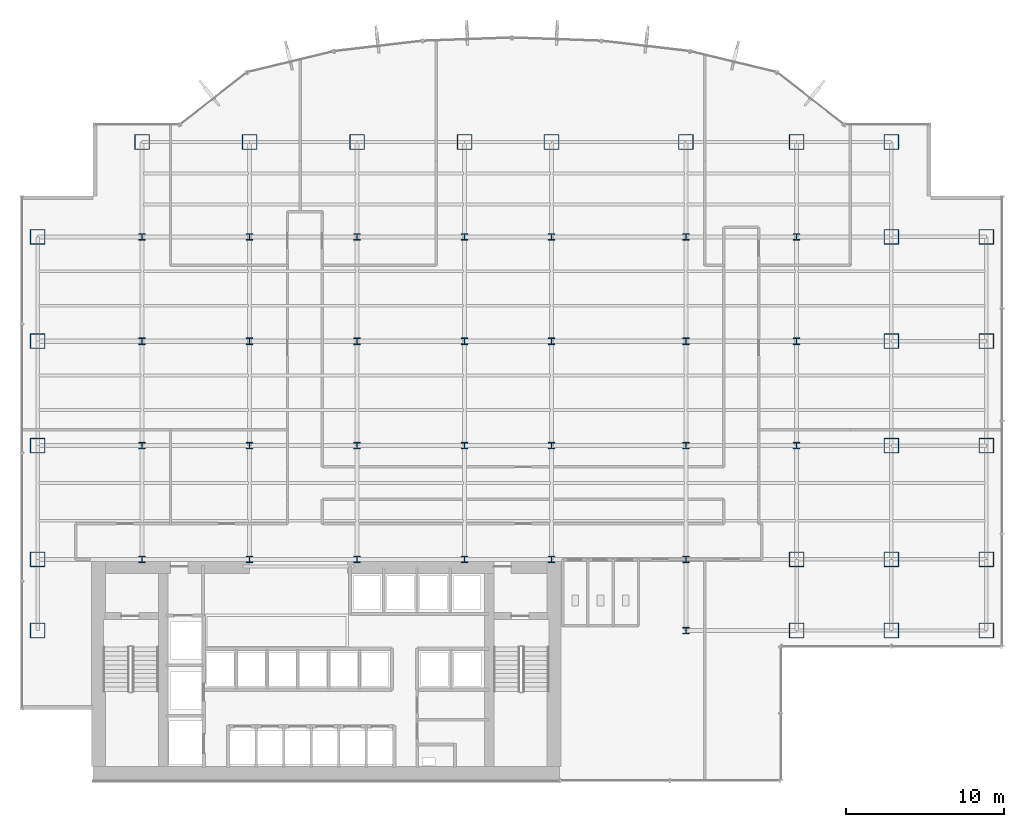
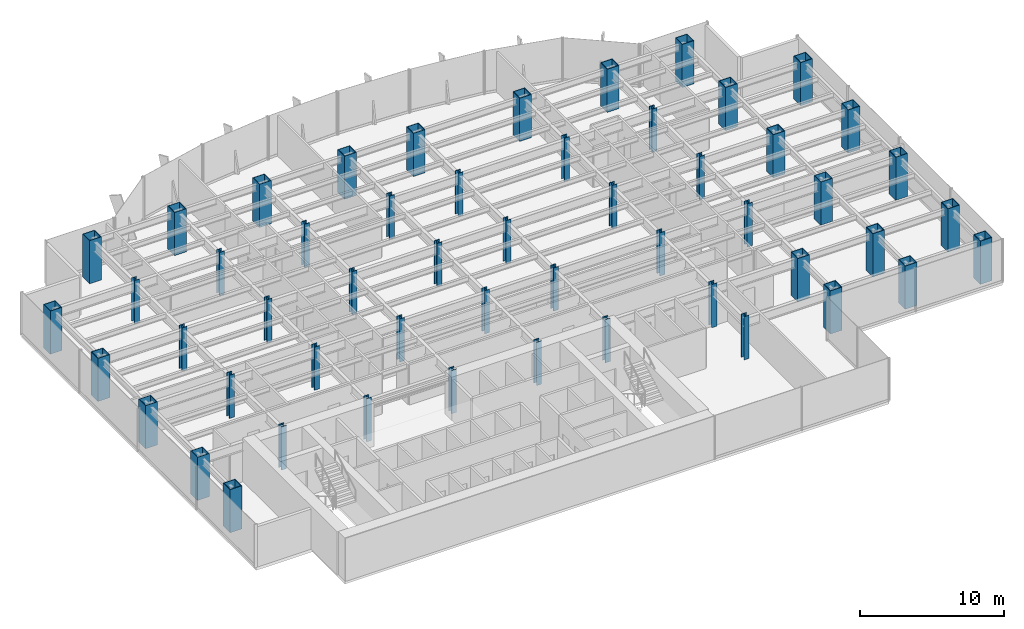
# One storey, part 1 of 22: 53 columns.
"""IFC4 building model written with IfcOpenShell, lengths in metres."""

from ifc_helpers import new_model, si_unit, derived_unit, direction, frame, origin, origin_2d, place, context, subcontext, project, spatial, hollow_rectangle, i_section, extrude, source, transform, mapped, material, material_profile, profile_set, type_object, element, save


model = new_model("IFC4")

# Units and contexts
model_context = context("Model", 3, precision=1e-05, world=origin(), true_north=direction((0.0, 1.0)))
body_context = subcontext(model_context, "Body", "Model", "MODEL_VIEW")
ifc_project = project(units=[si_unit("LENGTHUNIT", "METRE"), si_unit("AREAUNIT", "SQUARE_METRE"), si_unit("VOLUMEUNIT", "CUBIC_METRE"), si_unit("PLANEANGLEUNIT", "RADIAN"), si_unit("MASSUNIT", "GRAM", prefix="KILO"), derived_unit("THERMALTRANSMITTANCEUNIT", [(si_unit("POWERUNIT", "WATT"), 1), (si_unit("LENGTHUNIT", "METRE"), -2), (si_unit("THERMODYNAMICTEMPERATUREUNIT", "KELVIN"), -1)])], contexts=[model_context])

# Site, building, storey
site_placement = place(None, origin())
site = spatial("IfcSite", under=ifc_project, at=site_placement, CompositionType="ELEMENT")
building_placement = place(site_placement, origin())
building = spatial("IfcBuilding", under=site, at=building_placement, Name="Skarnbrae Concourse Arena and Tower", CompositionType="ELEMENT")
storey_placement = place(building_placement, frame((0.0, 0.0, 76.300048828125)))
storey = spatial("IfcBuildingStorey", under=building, at=storey_placement, Name="L18", CompositionType="ELEMENT", Elevation=76.300048828125)

# Columns
ifc_material = material(Name="Steel CSA G40.21 350W", Category="steel")
ifc_material_profile_1 = material_profile(ifc_material, hollow_rectangle(XDim=0.949951171875, YDim=0.949951171875, WallThickness=0.044921875, at=origin_2d()), Name="BOX950X950X45")
ifc_profile_set_1 = profile_set([ifc_material_profile_1], Name="Steel CSA G40.21 350W")
column_type_1 = type_object("IfcColumnType", Name="COL-TUBE-BOX950", PredefinedType="COLUMN", material=ifc_profile_set_1)
shared_shape_1 = source(origin(), body_context, "Body", "SweptSolid", [
    extrude(hollow_rectangle(XDim=0.949951171875, YDim=0.949951171875, WallThickness=0.044921875, at=origin_2d()), origin(), (0.0, 0.0, 1.0), 3.64990234375),
])
for number, where, z_axis, x_axis, name in (
    (1, (1.0, 9.5, 0.0), (0.0, 0.0, 1.0), (1.0, 0.0, 0.0), "L18 Tower column PC_01_01"),
    (2, (1.0, 14.0, 0.0), (0.0, 0.0, 1.0), (1.0, 0.0, 0.0), "L18 Tower column PC_01_02"),
    (3, (1.0, 21.199951171875, 0.0), (0.0, 0.0, 1.0), (1.0, 0.0, 0.0), "L18 Tower column PC_01_03"),
    (4, (1.0, 27.800048828125, 0.0), (0.0, 0.0, 1.0), (1.0, 0.0, 0.0), "L18 Tower column PC_01_04"),
    (5, (1.0, 34.39990234375, 0.0), (0.0, 0.0, 1.0), (1.0, 0.0, 0.0), "L18 Tower column PC_01_05"),
    (6, (7.60009765625, 40.39990234375, 0.0), (0.0, 0.0, 1.0), (1.0, 0.0, 0.0), "L18 Tower column PC_02_06"),
    (7, (14.39990234375, 40.39990234375, 0.0), (0.0, 0.0, 1.0), (1.0, 0.0, 0.0), "L18 Tower column PC_03_06"),
    (8, (21.199951171875, 40.39990234375, 0.0), (0.0, 0.0, 1.0), (1.0, 0.0, 0.0), "L18 Tower column PC_04_06"),
    (9, (28.0, 40.39990234375, 0.0), (0.0, 0.0, 1.0), (1.0, 0.0, 0.0), "L18 Tower column PC_05_06"),
    (10, (33.5, 40.39990234375, 0.0), (0.0, 0.0, 1.0), (1.0, 0.0, 0.0), "L18 Tower column PC_06_06"),
    (11, (42.0, 40.39990234375, 0.0), (0.0, 0.0, 1.0), (1.0, 0.0, 0.0), "L18 Tower column PC_07_06"),
    (12, (49.0, 9.5, 0.0), (0.0, 0.0, 1.0), (1.0, 0.0, 0.0), "L18 Tower column PC_08_01"),
    (13, (49.0, 14.0, 0.0), (0.0, 0.0, 1.0), (1.0, 0.0, 0.0), "L18 Tower column PC_08_02"),
    (14, (49.0, 40.39990234375, 0.0), (0.0, 0.0, 1.0), (1.0, 0.0, 0.0), "L18 Tower column PC_08_06"),
    (15, (55.0, 9.5, 0.0), (0.0, 0.0, 1.0), (1.0, 0.0, 0.0), "L18 Tower column PC_09_01"),
    (16, (55.0, 14.0, 0.0), (0.0, 0.0, 1.0), (1.0, 0.0, 0.0), "L18 Tower column PC_09_02"),
    (17, (55.0, 21.199951171875, 0.0), (0.0, 0.0, 1.0), (1.0, 0.0, 0.0), "L18 Tower column PC_09_03"),
    (18, (55.0, 27.800048828125, 0.0), (0.0, 0.0, 1.0), (1.0, 0.0, 0.0), "L18 Tower column PC_09_04"),
    (19, (55.0, 34.39990234375, 0.0), (0.0, 0.0, 1.0), (1.0, 0.0, 0.0), "L18 Tower column PC_09_05"),
    (20, (55.0, 40.39990234375, 0.0), (0.0, 0.0, 1.0), (1.0, 0.0, 0.0), "L18 Tower column PC_09_06"),
    (21, (61.0, 9.5, 0.0), (0.0, 0.0, 1.0), (1.0, 0.0, 0.0), "L18 Tower column PC_10_01"),
    (22, (61.0, 14.0, 0.0), (0.0, 0.0, 1.0), (1.0, 0.0, 0.0), "L18 Tower column PC_10_02"),
    (23, (61.0, 21.199951171875, 0.0), (0.0, 0.0, 1.0), (1.0, 0.0, 0.0), "L18 Tower column PC_10_03"),
    (24, (61.0, 27.800048828125, 0.0), (0.0, 0.0, 1.0), (1.0, 0.0, 0.0), "L18 Tower column PC_10_04"),
    (25, (61.0, 34.39990234375, 0.0), (0.0, 0.0, 1.0), (1.0, 0.0, 0.0), "L18 Tower column PC_10_05"),
):
    element("IfcColumn", number, at=place(storey_placement, frame(where, z_axis=z_axis, x_axis=x_axis)), inside=storey, type_object=column_type_1, Name=name, PredefinedType="COLUMN", context=body_context, shape_type="MappedRepresentation", body=[
        mapped(shared_shape_1, transform((0.0, 0.0, 0.0))),
    ])
ifc_material_profile_2 = material_profile(ifc_material, i_section(OverallWidth=0.406005859375, OverallDepth=0.416015625, WebThickness=0.02978515625, FlangeThickness=0.048095703125, at=origin_2d()), Name="W360X382")
ifc_profile_set_2 = profile_set([ifc_material_profile_2], Name="Steel CSA G40.21 350W")
column_type_2 = type_object("IfcColumnType", Name="COL-INT-W360X382", PredefinedType="COLUMN", material=ifc_profile_set_2)
shared_shape_2 = source(origin(), body_context, "Body", "SweptSolid", [
    extrude(i_section(OverallWidth=0.406005859375, OverallDepth=0.416015625, WebThickness=0.02978515625, FlangeThickness=0.048095703125, at=origin_2d()), origin(), (0.0, 0.0, 1.0), 3.64990234375),
])
for number, where, z_axis, x_axis, name in (
    (26, (7.60009765625, 14.0, 0.0), (0.0, 0.0, 1.0), (1.0, 0.0, 0.0), "L18 Tower column IC_02_02"),
    (27, (7.60009765625, 21.199951171875, 0.0), (0.0, 0.0, 1.0), (1.0, 0.0, 0.0), "L18 Tower column IC_02_03"),
    (28, (7.60009765625, 27.800048828125, 0.0), (0.0, 0.0, 1.0), (1.0, 0.0, 0.0), "L18 Tower column IC_02_04"),
    (29, (7.60009765625, 34.39990234375, 0.0), (0.0, 0.0, 1.0), (1.0, 0.0, 0.0), "L18 Tower column IC_02_05"),
    (30, (14.39990234375, 14.0, 0.0), (0.0, 0.0, 1.0), (1.0, 0.0, 0.0), "L18 Tower column IC_03_02"),
    (31, (14.39990234375, 21.199951171875, 0.0), (0.0, 0.0, 1.0), (1.0, 0.0, 0.0), "L18 Tower column IC_03_03"),
    (32, (14.39990234375, 27.800048828125, 0.0), (0.0, 0.0, 1.0), (1.0, 0.0, 0.0), "L18 Tower column IC_03_04"),
    (33, (14.39990234375, 34.39990234375, 0.0), (0.0, 0.0, 1.0), (1.0, 0.0, 0.0), "L18 Tower column IC_03_05"),
    (34, (21.199951171875, 14.0, 0.0), (0.0, 0.0, 1.0), (1.0, 0.0, 0.0), "L18 Tower column IC_04_02"),
    (35, (21.199951171875, 21.199951171875, 0.0), (0.0, 0.0, 1.0), (1.0, 0.0, 0.0), "L18 Tower column IC_04_03"),
    (36, (21.199951171875, 27.800048828125, 0.0), (0.0, 0.0, 1.0), (1.0, 0.0, 0.0), "L18 Tower column IC_04_04"),
    (37, (21.199951171875, 34.39990234375, 0.0), (0.0, 0.0, 1.0), (1.0, 0.0, 0.0), "L18 Tower column IC_04_05"),
    (38, (28.0, 14.0, 0.0), (0.0, 0.0, 1.0), (1.0, 0.0, 0.0), "L18 Tower column IC_05_02"),
    (39, (28.0, 21.199951171875, 0.0), (0.0, 0.0, 1.0), (1.0, 0.0, 0.0), "L18 Tower column IC_05_03"),
    (40, (28.0, 27.800048828125, 0.0), (0.0, 0.0, 1.0), (1.0, 0.0, 0.0), "L18 Tower column IC_05_04"),
    (41, (28.0, 34.39990234375, 0.0), (0.0, 0.0, 1.0), (1.0, 0.0, 0.0), "L18 Tower column IC_05_05"),
    (42, (33.5, 14.0, 0.0), (0.0, 0.0, 1.0), (1.0, 0.0, 0.0), "L18 Tower column IC_06_02"),
    (43, (33.5, 21.199951171875, 0.0), (0.0, 0.0, 1.0), (1.0, 0.0, 0.0), "L18 Tower column IC_06_03"),
    (44, (33.5, 27.800048828125, 0.0), (0.0, 0.0, 1.0), (1.0, 0.0, 0.0), "L18 Tower column IC_06_04"),
    (45, (33.5, 34.39990234375, 0.0), (0.0, 0.0, 1.0), (1.0, 0.0, 0.0), "L18 Tower column IC_06_05"),
    (46, (42.0, 9.5, 0.0), (0.0, 0.0, 1.0), (1.0, 0.0, 0.0), "L18 Tower column IC_07_01"),
    (47, (42.0, 14.0, 0.0), (0.0, 0.0, 1.0), (1.0, 0.0, 0.0), "L18 Tower column IC_07_02"),
    (48, (42.0, 21.199951171875, 0.0), (0.0, 0.0, 1.0), (1.0, 0.0, 0.0), "L18 Tower column IC_07_03"),
    (49, (42.0, 27.800048828125, 0.0), (0.0, 0.0, 1.0), (1.0, 0.0, 0.0), "L18 Tower column IC_07_04"),
    (50, (42.0, 34.39990234375, 0.0), (0.0, 0.0, 1.0), (1.0, 0.0, 0.0), "L18 Tower column IC_07_05"),
    (51, (49.0, 21.199951171875, 0.0), (0.0, 0.0, 1.0), (1.0, 0.0, 0.0), "L18 Tower column IC_08_03"),
    (52, (49.0, 27.800048828125, 0.0), (0.0, 0.0, 1.0), (1.0, 0.0, 0.0), "L18 Tower column IC_08_04"),
    (53, (49.0, 34.39990234375, 0.0), (0.0, 0.0, 1.0), (1.0, 0.0, 0.0), "L18 Tower column IC_08_05"),
):
    element("IfcColumn", number, at=place(storey_placement, frame(where, z_axis=z_axis, x_axis=x_axis)), inside=storey, type_object=column_type_2, Name=name, PredefinedType="COLUMN", context=body_context, shape_type="MappedRepresentation", body=[
        mapped(shared_shape_2, transform((0.0, 0.0, 0.0))),
    ])

save(model, "model.ifc")
